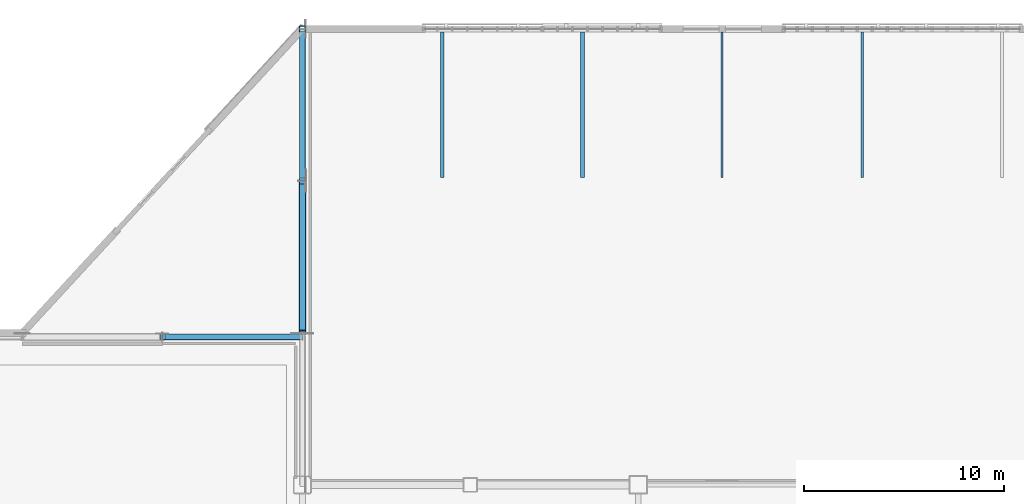
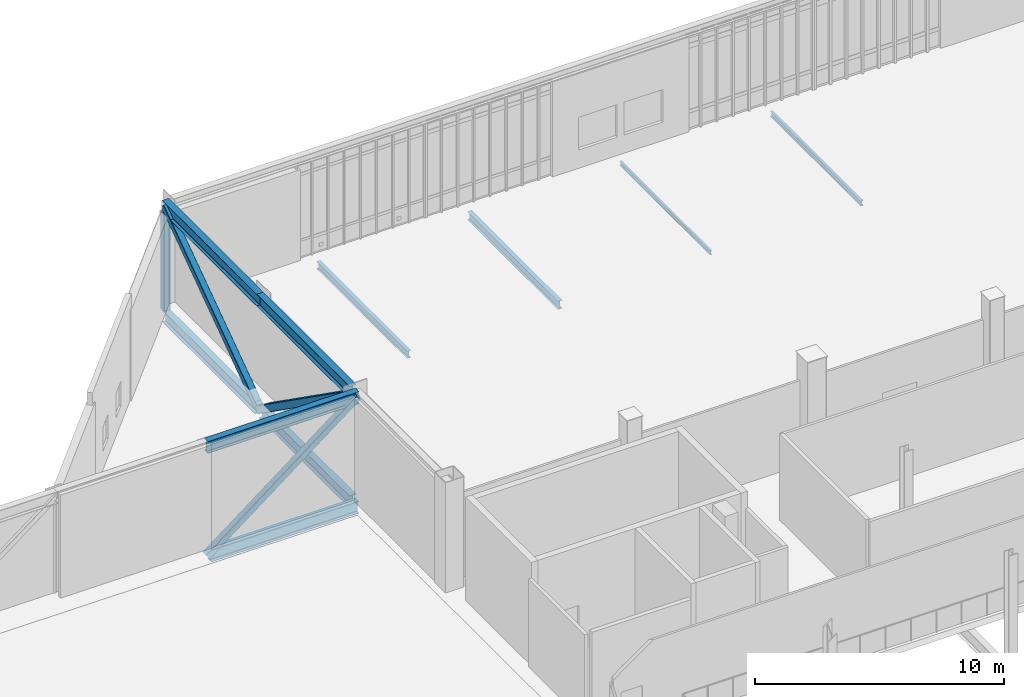
# One storey, part 23 of 135: 10 beams, 4 members.
"""IFC4 building model written with IfcOpenShell, lengths in metres."""

import ifcopenshell
import ifcopenshell.guid

model = None  # the IFC model being written
_history = None  # IfcOwnerHistory: only IFC2X3 demands one
_inside = {}  # id of a spatial element -> (the spatial element, [elements in it])
_under = {}  # id of a project, library or spatial element -> (it, [spatial elements below it])
_declared = {}  # id of a project -> (the project, [libraries it declares])
_typed = {}  # id of a type object -> (the type object, [elements of that type])
_made_of = {}  # id of a material, layer set ... -> (it, [elements and type objects made of it])


def new_model(schema):
    """Start an empty IFC model of exactly this schema.

    Asked for "IFC4X3", IfcOpenShell would pick the latest addendum, in which some entities
    have other attributes; the version numbers below select the first issue.
    IFC2X3 requires an IfcOwnerHistory on every rooted entity: one is made here for all.
    """
    global model, _history
    if schema == "IFC4X3":
        model = ifcopenshell.file(schema_version=(4, 3, 0, 0))
    else:
        model = ifcopenshell.file(schema=schema)
    _inside.clear()
    _under.clear()
    _declared.clear()
    _typed.clear()
    _made_of.clear()
    _history = None
    if model.schema == "IFC2X3":
        org = make("IfcOrganization", Name="unknown")
        user = make(
            "IfcPersonAndOrganization",
            ThePerson=make("IfcPerson", FamilyName="unknown"),
            TheOrganization=org,
        )
        app = make(
            "IfcApplication",
            ApplicationDeveloper=org,
            Version="unknown",
            ApplicationFullName="unknown",
            ApplicationIdentifier="unknown",
        )
        _history = make(
            "IfcOwnerHistory",
            OwningUser=user,
            OwningApplication=app,
            ChangeAction="ADDED",
            CreationDate=0,
        )
    return model


def make(cls, **values):
    """One entity of the class cls with the attributes given. An attribute that is None is left unset."""
    return model.create_entity(
        cls, **{name: value for name, value in values.items() if value is not None}
    )


def rooted(cls, **values):
    """An entity with a GlobalId (a new one), such as an element, a storey or a relation."""
    return make(cls, GlobalId=ifcopenshell.guid.new(), OwnerHistory=_history, **values)


def si_unit(unit_type, name, prefix=None):
    """IfcSIUnit, for example si_unit("LENGTHUNIT", "METRE", prefix="MILLI")."""
    return make("IfcSIUnit", UnitType=unit_type, Prefix=prefix, Name=name)


def assignment(units):
    """IfcUnitAssignment: the units of a project."""
    return None if units is None else make("IfcUnitAssignment", Units=units)


def point(xyz):
    """IfcCartesianPoint."""
    return None if xyz is None else make("IfcCartesianPoint", Coordinates=xyz)


def direction(xyz):
    """IfcDirection."""
    return None if xyz is None else make("IfcDirection", DirectionRatios=xyz)


def frame(location, z_axis=None, x_axis=None):
    """IfcAxis2Placement3D, a coordinate frame: its origin and axes. An axis left out is left unset."""
    return make(
        "IfcAxis2Placement3D",
        Location=point(location),
        Axis=direction(z_axis),
        RefDirection=direction(x_axis),
    )


def frame_2d(location, x_axis=None):
    """IfcAxis2Placement2D, a coordinate frame in the plane: its origin and x axis."""
    return make(
        "IfcAxis2Placement2D", Location=point(location), RefDirection=direction(x_axis)
    )


def origin():
    """The frame at (0, 0, 0) with its axes left unset."""
    return frame((0.0, 0.0, 0.0))


def origin_2d():
    """The frame at (0, 0) in the plane with its x axis left unset."""
    return frame_2d((0.0, 0.0))


def place(relative_to, where):
    """IfcLocalPlacement: puts the frame where relative to a parent placement (None: the world)."""
    return make(
        "IfcLocalPlacement", PlacementRelTo=relative_to, RelativePlacement=where
    )


def context(
    kind, dimensions, precision=None, world=None, true_north=None, identifier=None
):
    """IfcGeometricRepresentationContext, for example the 3D "Model" context."""
    return make(
        "IfcGeometricRepresentationContext",
        ContextIdentifier=identifier,
        ContextType=kind,
        CoordinateSpaceDimension=dimensions,
        Precision=precision,
        WorldCoordinateSystem=world,
        TrueNorth=true_north,
    )


def subcontext(parent, identifier, kind, view, scale=None):
    """IfcGeometricRepresentationSubContext, for example "Body" below "Model"."""
    return make(
        "IfcGeometricRepresentationSubContext",
        ContextIdentifier=identifier,
        ContextType=kind,
        ParentContext=parent,
        TargetScale=scale,
        TargetView=view,
    )


def project(units=None, contexts=None):
    """IfcProject with its units and contexts."""
    return rooted(
        "IfcProject",
        Name="project",
        RepresentationContexts=contexts,
        UnitsInContext=assignment(units),
    )


def spatial(cls, under=None, at=None, **own):
    """A site, building, storey or space (cls), placed at a placement, below another one or the project."""
    s = rooted(cls, ObjectPlacement=at, **own)
    if under is not None:
        _under.setdefault(under.id(), (under, []))[1].append(s)
    return s


def profile(cls, at=None, kind="AREA", **sizes):
    """A parametric profile (cls). Its sizes go by their IFC names, for example OverallWidth=200.0."""
    return make(cls, ProfileType=kind, Position=at, **sizes)


def hollow_rectangle(**sizes):
    """IfcRectangleHollowProfileDef."""
    return profile("IfcRectangleHollowProfileDef", **sizes)


def i_section(**sizes):
    """IfcIShapeProfileDef."""
    return profile("IfcIShapeProfileDef", **sizes)


def extrude(swept, where, along, depth):
    """IfcExtrudedAreaSolid: the profile swept, set in the frame where, extruded along a direction by depth."""
    return make(
        "IfcExtrudedAreaSolid",
        SweptArea=swept,
        Position=where,
        ExtrudedDirection=direction(along),
        Depth=depth,
    )


def shape(context_of_items, identifier, shape_type, items):
    """IfcShapeRepresentation: the items that make up one representation, for example the "Body"."""
    return make(
        "IfcShapeRepresentation",
        ContextOfItems=context_of_items,
        RepresentationIdentifier=identifier,
        RepresentationType=shape_type,
        Items=items,
    )


def material(Name=None, Category=None):
    """IfcMaterial."""
    return make("IfcMaterial", Name=Name, Category=Category)


def material_profile(
    of_material, cross_section, Name=None, Category=None, Priority=None
):
    """IfcMaterialProfile: a cross section and its material."""
    return make(
        "IfcMaterialProfile",
        Name=Name,
        Material=of_material,
        Profile=cross_section,
        Priority=Priority,
        Category=Category,
    )


def profile_set(profiles, Name=None, composite=None):
    """IfcMaterialProfileSet."""
    return make(
        "IfcMaterialProfileSet",
        Name=Name,
        MaterialProfiles=profiles,
        CompositeProfile=composite,
    )


def made_of(thing, what):
    """Note that an element or type object is made of a material, layer set ...; save() writes the relation."""
    if what is not None:
        _made_of.setdefault(what.id(), (what, []))[1].append(thing)
    return thing


def type_object(cls, material=None, **own):
    """A type object (cls), such as IfcWallType, which elements share."""
    return made_of(rooted(cls, **own), material)


def element(
    cls,
    number,
    at=None,
    inside=None,
    cuts=None,
    type_object=None,
    material=None,
    context=None,
    identifier="Body",
    shape_type=None,
    held_by="IfcProductDefinitionShape",
    body=None,
    shapes=None,
    **own,
):
    """One element of the class cls, such as IfcWall. Its Tag is "e" and its number.

    at: its placement. inside: the storey or other place that contains it. cuts: it is an
    opening in that element (IfcRelVoidsElement). A single representation is given by context,
    identifier, shape_type and body (its items); several are given by shapes. held_by: the class
    of the entity that holds the representations. save() writes the other relations.
    """
    e = rooted(cls, Tag="e%d" % number, ObjectPlacement=at, **own)
    if body is not None:
        shapes = [shape(context, identifier, shape_type, body)]
    if shapes is not None:
        e.Representation = make(held_by, Representations=shapes)
    if inside is not None:
        _inside.setdefault(inside.id(), (inside, []))[1].append(e)
    if cuts is not None:
        rooted(
            "IfcRelVoidsElement", RelatingBuildingElement=cuts, RelatedOpeningElement=e
        )
    if type_object is not None:
        _typed.setdefault(type_object.id(), (type_object, []))[1].append(e)
    return made_of(e, material)


def aggregate(whole, parts):
    """IfcRelAggregates: a whole, such as a stair, and the parts it consists of."""
    return rooted("IfcRelAggregates", RelatingObject=whole, RelatedObjects=parts)


def save(model, path):
    """Write the relations noted so far, then the file.

    IfcRelAggregates (storeys below a building ...), IfcRelContainedInSpatialStructure (elements
    in a storey), IfcRelDefinesByType, IfcRelAssociatesMaterial and IfcRelDeclares: one each for
    every whole, place, type object, material and project.
    """
    for whole, parts in _under.values():
        aggregate(whole, parts)
    for where, things in _inside.values():
        rooted(
            "IfcRelContainedInSpatialStructure",
            RelatedElements=things,
            RelatingStructure=where,
        )
    for kind, things in _typed.values():
        rooted("IfcRelDefinesByType", RelatedObjects=things, RelatingType=kind)
    for what, things in _made_of.values():
        rooted("IfcRelAssociatesMaterial", RelatedObjects=things, RelatingMaterial=what)
    for by, libraries in _declared.values():
        rooted("IfcRelDeclares", RelatingContext=by, RelatedDefinitions=libraries)
    model.write(path)


model = new_model("IFC4")

# Units and contexts
model_context = context("Model", 3, precision=1e-05, world=origin(), true_north=direction((0.0, 1.0)))
body_context = subcontext(model_context, "Body", "Model", "MODEL_VIEW")
ifc_project = project(units=[si_unit("LENGTHUNIT", "METRE"), si_unit("AREAUNIT", "SQUARE_METRE"), si_unit("VOLUMEUNIT", "CUBIC_METRE"), si_unit("PLANEANGLEUNIT", "RADIAN"), si_unit("MASSUNIT", "GRAM", prefix="KILO")], contexts=[model_context])

# Site, building, storey
site_placement = place(None, origin())
site = spatial("IfcSite", under=ifc_project, at=site_placement, CompositionType="ELEMENT")
building_placement = place(site_placement, origin())
building = spatial("IfcBuilding", under=site, at=building_placement, Name="Larkvane Passage Sports Hall", CompositionType="ELEMENT")
storey_placement = place(building_placement, frame((0.0, 0.0, 16.800048828125)))
storey = spatial("IfcBuildingStorey", under=building, at=storey_placement, Name="L03", CompositionType="ELEMENT", Elevation=16.800048828125)

# Beams
ifc_material_1 = material(Name="Steel S460N", Category="steel")
ifc_material_profile_1 = material_profile(ifc_material_1, i_section(OverallWidth=0.300048828125, OverallDepth=0.587890625, WebThickness=0.011962890625, FlangeThickness=0.02001953125, FilletRadius=0.02197265625, at=origin_2d()), Name="H-588x300x12x20")
ifc_profile_set_1 = profile_set([ifc_material_profile_1], Name="Steel S460N")
beam_type_1 = type_object("IfcBeamType", Name="BM-STL-H588", PredefinedType="BEAM", material=ifc_profile_set_1)
beam_1_placement = place(storey_placement, frame((27.955078125, 99.0, -0.614013671875), z_axis=(1.0, 0.0, 0.0), x_axis=(0.0, 1.0, 0.0)))
element("IfcBeam", 1, at=beam_1_placement, inside=storey, type_object=beam_type_1, Name="Cantilever truss CT-W3A-2 bottom chord 5", PredefinedType="BEAM", context=body_context, shape_type="SweptSolid", body=[
    extrude(i_section(OverallWidth=0.300048828125, OverallDepth=0.587890625, WebThickness=0.011962890625, FlangeThickness=0.02001953125, FilletRadius=0.02197265625, at=origin_2d()), origin(), (0.0, 0.0, 1.0), 6.844970703125),
])
beam_2_placement = place(storey_placement, frame((27.800048828125, 99.0, 4.755859375), z_axis=(1.0, 0.0, 0.0), x_axis=(0.0, 1.0, 0.0)))
element("IfcBeam", 2, at=beam_2_placement, inside=storey, type_object=beam_type_1, Name="Cantilever truss CT-W3A-2 top chord 5", PredefinedType="BEAM", context=body_context, shape_type="SweptSolid", body=[
    extrude(i_section(OverallWidth=0.300048828125, OverallDepth=0.587890625, WebThickness=0.011962890625, FlangeThickness=0.02001953125, FilletRadius=0.02197265625, at=origin_2d()), origin(), (0.0, 0.0, 1.0), 7.0),
])
beam_3_placement = place(storey_placement, frame((34.800048828125, 99.35498046875, -0.614013671875), z_axis=(0.0, 1.0, 0.0), x_axis=(-1.0, 0.0, 0.0)))
element("IfcBeam", 3, at=beam_3_placement, inside=storey, type_object=beam_type_1, Name="Cantilever truss CT-N3A-1 bottom chord 2", PredefinedType="BEAM", context=body_context, shape_type="SweptSolid", body=[
    extrude(i_section(OverallWidth=0.300048828125, OverallDepth=0.587890625, WebThickness=0.011962890625, FlangeThickness=0.02001953125, FilletRadius=0.02197265625, at=origin_2d()), origin(), (0.0, 0.0, 1.0), 7.2900390625),
])
beam_4_placement = place(storey_placement, frame((34.800048828125, 99.35498046875, 4.755859375), z_axis=(0.0, 1.0, 0.0), x_axis=(-1.0, 0.0, 0.0)))
element("IfcBeam", 4, at=beam_4_placement, inside=storey, type_object=beam_type_1, Name="Cantilever truss CT-N3A-1 top chord 2", PredefinedType="BEAM", context=body_context, shape_type="SweptSolid", body=[
    extrude(i_section(OverallWidth=0.300048828125, OverallDepth=0.587890625, WebThickness=0.011962890625, FlangeThickness=0.02001953125, FilletRadius=0.02197265625, at=origin_2d()), origin(), (0.0, 0.0, 1.0), 7.445068359375),
])
beam_5_placement = place(storey_placement, frame((34.800048828125, 106.955078125, -0.614013671875), z_axis=(0.0, 1.0, 0.0), x_axis=(-1.0, 0.0, 0.0)))
element("IfcBeam", 5, at=beam_5_placement, inside=storey, type_object=beam_type_1, Name="Cantilever truss CT-N3A-1 bottom chord 3", PredefinedType="BEAM", context=body_context, shape_type="SweptSolid", body=[
    extrude(i_section(OverallWidth=0.300048828125, OverallDepth=0.587890625, WebThickness=0.011962890625, FlangeThickness=0.02001953125, FilletRadius=0.02197265625, at=origin_2d()), origin(), (0.0, 0.0, 1.0), 7.44482421875),
])
beam_6_placement = place(storey_placement, frame((34.800048828125, 106.800048828125, 4.755859375), z_axis=(0.0, 1.0, 0.0), x_axis=(-1.0, 0.0, 0.0)))
element("IfcBeam", 6, at=beam_6_placement, inside=storey, type_object=beam_type_1, Name="Cantilever truss CT-N3A-1 top chord 3", PredefinedType="BEAM", context=body_context, shape_type="SweptSolid", body=[
    extrude(i_section(OverallWidth=0.300048828125, OverallDepth=0.587890625, WebThickness=0.011962890625, FlangeThickness=0.02001953125, FilletRadius=0.02197265625, at=origin_2d()), origin(), (0.0, 0.0, 1.0), 7.599853515625),
])
ifc_material_2 = material(Name="Steel S355JR", Category="steel")
ifc_material_profile_2 = material_profile(ifc_material_2, i_section(OverallWidth=0.10009765625, OverallDepth=0.199951171875, WebThickness=0.005615234375, FlangeThickness=0.008056640625, FilletRadius=0.008056640625, at=origin_2d()), Name="H-200x100x5.5x8")
ifc_profile_set_2 = profile_set([ifc_material_profile_2], Name="Steel S355JR")
beam_type_2 = type_object("IfcBeamType", Name="JST-STL-H200", PredefinedType="JOIST", material=ifc_profile_set_2)
beam_7_placement = place(storey_placement, frame((55.800048828125, 106.9599609375, -0.420166015625), z_axis=(0.0, 1.0, 0.0), x_axis=(-1.0, 0.0, 0.0)))
element("IfcBeam", 7, at=beam_7_placement, inside=storey, type_object=beam_type_2, Name="Cantilever floor joist CT-N3A--3-3", PredefinedType="JOIST", context=body_context, shape_type="SweptSolid", body=[
    extrude(i_section(OverallWidth=0.10009765625, OverallDepth=0.199951171875, WebThickness=0.005615234375, FlangeThickness=0.008056640625, FilletRadius=0.008056640625, at=origin_2d()), origin(), (0.0, 0.0, 1.0), 7.280029296875),
])
ifc_material_profile_3 = material_profile(ifc_material_2, i_section(OverallWidth=0.125, OverallDepth=0.25, WebThickness=0.006103515625, FlangeThickness=0.009033203125, FilletRadius=0.008056640625, at=origin_2d()), Name="H-250x125x6x9")
ifc_profile_set_3 = profile_set([ifc_material_profile_3], Name="Steel S355JR")
beam_type_3 = type_object("IfcBeamType", Name="JST-STL-H250", PredefinedType="JOIST", material=ifc_profile_set_3)
beam_8_placement = place(storey_placement, frame((62.800048828125, 106.9599609375, -0.445068359375), z_axis=(0.0, 1.0, 0.0), x_axis=(-1.0, 0.0, 0.0)))
element("IfcBeam", 8, at=beam_8_placement, inside=storey, type_object=beam_type_3, Name="Cantilever floor joist CT-N3A--3-4", PredefinedType="JOIST", context=body_context, shape_type="SweptSolid", body=[
    extrude(i_section(OverallWidth=0.125, OverallDepth=0.25, WebThickness=0.006103515625, FlangeThickness=0.009033203125, FilletRadius=0.008056640625, at=origin_2d()), origin(), (0.0, 0.0, 1.0), 7.280029296875),
])
ifc_material_profile_4 = material_profile(ifc_material_2, i_section(OverallWidth=0.175048828125, OverallDepth=0.35009765625, WebThickness=0.007080078125, FlangeThickness=0.010986328125, FilletRadius=0.012939453125, at=origin_2d()), Name="H-350x175x7x11")
ifc_profile_set_4 = profile_set([ifc_material_profile_4], Name="Steel S355JR")
beam_type_4 = type_object("IfcBeamType", Name="JST-STL-H350", PredefinedType="JOIST", material=ifc_profile_set_4)
beam_9_placement = place(storey_placement, frame((41.800048828125, 106.9599609375, -0.4951171875), z_axis=(0.0, 1.0, 0.0), x_axis=(-1.0, 0.0, 0.0)))
element("IfcBeam", 9, at=beam_9_placement, inside=storey, type_object=beam_type_4, Name="Cantilever floor joist CT-N3A--3-1", PredefinedType="JOIST", context=body_context, shape_type="SweptSolid", body=[
    extrude(i_section(OverallWidth=0.175048828125, OverallDepth=0.35009765625, WebThickness=0.007080078125, FlangeThickness=0.010986328125, FilletRadius=0.012939453125, at=origin_2d()), origin(), (0.0, 0.0, 1.0), 7.280029296875),
])
ifc_material_profile_5 = material_profile(ifc_material_2, i_section(OverallWidth=0.199951171875, OverallDepth=0.39990234375, WebThickness=0.008056640625, FlangeThickness=0.012939453125, FilletRadius=0.012939453125, at=origin_2d()), Name="H-400x200x8x13")
ifc_profile_set_5 = profile_set([ifc_material_profile_5], Name="Steel S355JR")
beam_type_5 = type_object("IfcBeamType", Name="JST-STL-H400", PredefinedType="JOIST", material=ifc_profile_set_5)
beam_10_placement = place(storey_placement, frame((48.800048828125, 106.9599609375, -0.52001953125), z_axis=(0.0, 1.0, 0.0), x_axis=(-1.0, 0.0, 0.0)))
element("IfcBeam", 10, at=beam_10_placement, inside=storey, type_object=beam_type_5, Name="Cantilever floor joist CT-N3A--3-2", PredefinedType="JOIST", context=body_context, shape_type="SweptSolid", body=[
    extrude(i_section(OverallWidth=0.199951171875, OverallDepth=0.39990234375, WebThickness=0.008056640625, FlangeThickness=0.012939453125, FilletRadius=0.012939453125, at=origin_2d()), origin(), (0.0, 0.0, 1.0), 7.280029296875),
])

# Members
ifc_material_profile_6 = material_profile(ifc_material_1, hollow_rectangle(XDim=0.300048828125, YDim=0.300048828125, WallThickness=0.011962890625, InnerFilletRadius=0.011962890625, OuterFilletRadius=0.02392578125, at=origin_2d()), Name="SHS-300x300x12")
ifc_profile_set_6 = profile_set([ifc_material_profile_6], Name="Steel S460N")
member_type_1 = type_object("IfcMemberType", Name="MBR-BR-SHS300", PredefinedType="BRACE", material=ifc_profile_set_6)
member_1_placement = place(storey_placement, frame((27.800048828125, 99.0, -0.614013671875), z_axis=(0.793430842103, 0.0, 0.608660413367), x_axis=(0.0, 1.0, 0.0)))
element("IfcMember", 11, at=member_1_placement, inside=storey, type_object=member_type_1, Name="Cantilever truss CT-W3A-2 web diagonal 5", PredefinedType="BRACE", context=body_context, shape_type="SweptSolid", body=[
    extrude(hollow_rectangle(XDim=0.300048828125, YDim=0.300048828125, WallThickness=0.011962890625, InnerFilletRadius=0.011962890625, OuterFilletRadius=0.02392578125, at=origin_2d()), origin(), (0.0, 0.0, 1.0), 8.822509765625),
])
member_2_placement = place(storey_placement, frame((34.800048828125, 106.800048828125, -0.614013671875), z_axis=(0.0, 0.816700931894, 0.577061164734), x_axis=(-1.0, 0.0, 0.0)))
element("IfcMember", 12, at=member_2_placement, inside=storey, type_object=member_type_1, Name="Cantilever truss CT-N3A-1 web diagonal 3", PredefinedType="BRACE", context=body_context, shape_type="SweptSolid", body=[
    extrude(hollow_rectangle(XDim=0.300048828125, YDim=0.300048828125, WallThickness=0.011962890625, InnerFilletRadius=0.011962890625, OuterFilletRadius=0.02392578125, at=origin_2d()), origin(), (0.0, 0.0, 1.0), 9.3056640625),
])
ifc_material_profile_7 = material_profile(ifc_material_1, hollow_rectangle(XDim=0.35009765625, YDim=0.35009765625, WallThickness=0.01611328125, InnerFilletRadius=0.01611328125, OuterFilletRadius=0.031982421875, at=origin_2d()), Name="SHS-350x350x16")
ifc_profile_set_7 = profile_set([ifc_material_profile_7], Name="Steel S460N")
member_type_2 = type_object("IfcMemberType", Name="MBR-BR-SHS350", PredefinedType="BRACE", material=ifc_profile_set_7)
member_3_placement = place(storey_placement, frame((34.800048828125, 99.199951171875, 4.755859375), z_axis=(0.0, 0.816709668195, -0.577048800256), x_axis=(-1.0, 0.0, 0.0)))
element("IfcMember", 13, at=member_3_placement, inside=storey, type_object=member_type_2, Name="Cantilever truss CT-N3A-1 web diagonal 2", PredefinedType="BRACE", context=body_context, shape_type="SweptSolid", body=[
    extrude(hollow_rectangle(XDim=0.35009765625, YDim=0.35009765625, WallThickness=0.01611328125, InnerFilletRadius=0.01611328125, OuterFilletRadius=0.031982421875, at=origin_2d()), origin(), (0.0, 0.0, 1.0), 9.3056640625),
])
ifc_material_profile_8 = material_profile(ifc_material_1, hollow_rectangle(XDim=0.300048828125, YDim=0.300048828125, WallThickness=0.011962890625, InnerFilletRadius=0.011962890625, OuterFilletRadius=0.02392578125, at=origin_2d()), Name="SHS-300x300x12")
ifc_profile_set_8 = profile_set([ifc_material_profile_8], Name="Steel S460N")
member_type_3 = type_object("IfcMemberType", Name="MBR-ST-SHS300", PredefinedType="STRUT", material=ifc_profile_set_8)
member_4_placement = place(storey_placement, frame((34.800048828125, 114.39990234375, -0.320068359375), z_axis=(0.0, 0.0, 1.0), x_axis=(1.0, 0.0, 0.0)))
element("IfcMember", 14, at=member_4_placement, inside=storey, type_object=member_type_3, Name="Cantilever truss CT-N3A-1 vertical post 4", PredefinedType="STRUT", context=body_context, shape_type="SweptSolid", body=[
    extrude(hollow_rectangle(XDim=0.300048828125, YDim=0.300048828125, WallThickness=0.011962890625, InnerFilletRadius=0.011962890625, OuterFilletRadius=0.02392578125, at=origin_2d()), origin(), (0.0, 0.0, 1.0), 4.781982421875),
])

save(model, "model.ifc")
